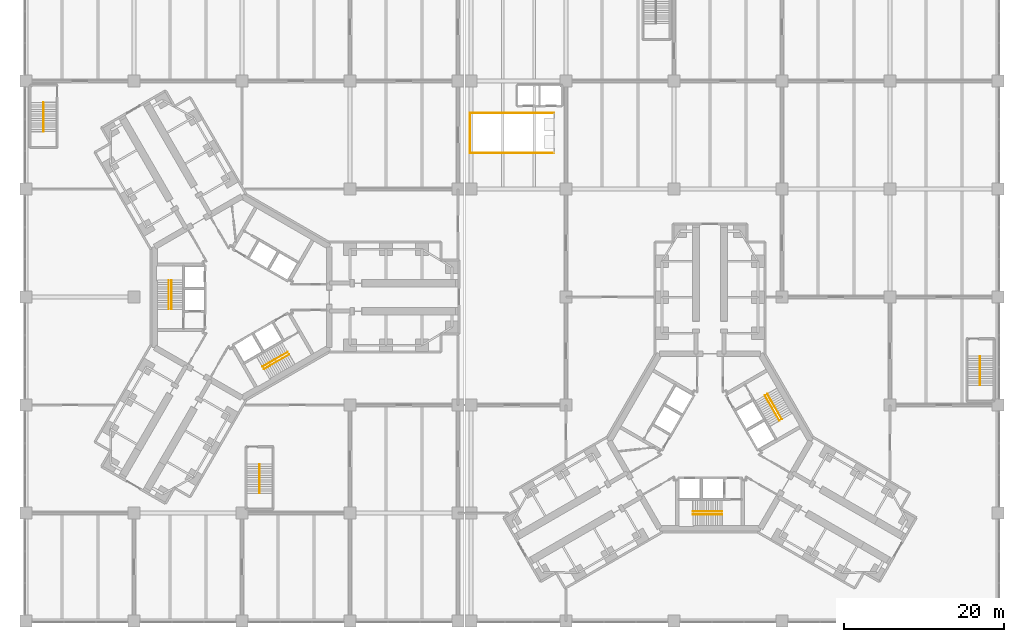
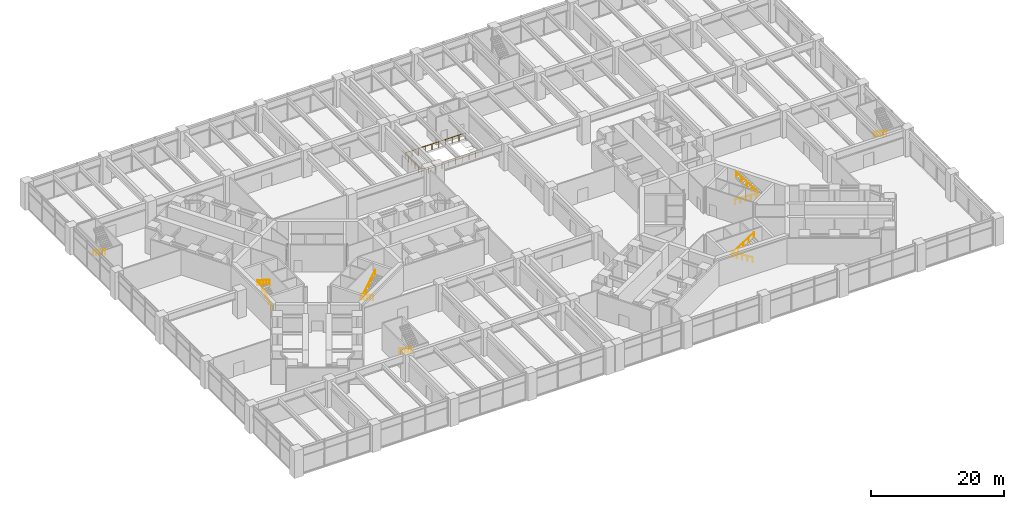
# One storey, part 30 of 31: 12 railings.
"""IFC4 building model written with IfcOpenShell, lengths in metres."""

from ifc_helpers import new_model, si_unit, direction, frame, origin, origin_2d, place, context, subcontext, project, spatial, circle, extrude, material, type_object, element, save


model = new_model("IFC4")

# Units and contexts
model_context = context("Model", 3, precision=1e-05, world=origin(), true_north=direction((0.0, 1.0)))
body_context = subcontext(model_context, "Body", "Model", "MODEL_VIEW")
ifc_project = project(units=[si_unit("LENGTHUNIT", "METRE"), si_unit("AREAUNIT", "SQUARE_METRE"), si_unit("VOLUMEUNIT", "CUBIC_METRE"), si_unit("PLANEANGLEUNIT", "RADIAN"), si_unit("MASSUNIT", "GRAM", prefix="KILO")], contexts=[model_context])

# Site, building, storey
site_placement = place(None, origin())
site = spatial("IfcSite", under=ifc_project, at=site_placement, CompositionType="ELEMENT")
building_placement = place(site_placement, origin())
building = spatial("IfcBuilding", under=site, at=building_placement, Name="Upepo Twin Towers", CompositionType="ELEMENT")
storey_placement = place(building_placement, frame((0.0, 0.0, 15.5)))
storey = spatial("IfcBuildingStorey", under=building, at=storey_placement, Name="L03", CompositionType="ELEMENT", Elevation=15.5)

# Railings
ifc_material_1 = material(Name="Stainless steel and glass", Category="steel")
railing_type_1 = type_object("IfcRailingType", Name="Guard 1100", PredefinedType="GUARDRAIL", material=ifc_material_1)
railing_1_placement = place(storey_placement, frame((39.0, 18.0, 0.0)))
element("IfcRailing", 1, at=railing_1_placement, inside=storey, type_object=railing_type_1, Name="Escalator well guard L03", PredefinedType="GUARDRAIL", context=body_context, shape_type="SweptSolid", body=[
    extrude(circle(Radius=0.02392578125, at=origin_2d()), frame((0.0, 0.0, 1.076171875), z_axis=(-1.0, 0.0, 0.0), x_axis=(0.0, -1.0, 0.0)), (0.0, 0.0, 1.0), 10.5),
    extrude(circle(Radius=0.02392578125, at=origin_2d()), frame((-10.5, 0.0, 1.076171875), z_axis=(0.0, 1.0, 0.0), x_axis=(-1.0, 0.0, 0.0)), (0.0, 0.0, 1.0), 5.0),
    extrude(circle(Radius=0.02392578125, at=origin_2d()), frame((-10.5, 5.0, 1.076171875), z_axis=(1.0, 0.0, 0.0), x_axis=(0.0, 1.0, 0.0)), (0.0, 0.0, 1.0), 10.5),
    extrude(circle(Radius=0.02099609375, at=origin_2d()), origin(), (0.0, 0.0, 1.0), 1.052001953125),
    extrude(circle(Radius=0.02099609375, at=origin_2d()), frame((-1.166748046875, 0.0, 0.0)), (0.0, 0.0, 1.0), 1.052001953125),
    extrude(circle(Radius=0.02099609375, at=origin_2d()), frame((-2.333251953125, 0.0, 0.0)), (0.0, 0.0, 1.0), 1.052001953125),
    extrude(circle(Radius=0.02099609375, at=origin_2d()), frame((-3.5, 0.0, 0.0)), (0.0, 0.0, 1.0), 1.052001953125),
    extrude(circle(Radius=0.02099609375, at=origin_2d()), frame((-4.666748046875, 0.0, 0.0)), (0.0, 0.0, 1.0), 1.052001953125),
    extrude(circle(Radius=0.02099609375, at=origin_2d()), frame((-5.833251953125, 0.0, 0.0)), (0.0, 0.0, 1.0), 1.052001953125),
    extrude(circle(Radius=0.02099609375, at=origin_2d()), frame((-7.0, 0.0, 0.0)), (0.0, 0.0, 1.0), 1.052001953125),
    extrude(circle(Radius=0.02099609375, at=origin_2d()), frame((-8.166748046875, 0.0, 0.0)), (0.0, 0.0, 1.0), 1.052001953125),
    extrude(circle(Radius=0.02099609375, at=origin_2d()), frame((-9.333251953125, 0.0, 0.0)), (0.0, 0.0, 1.0), 1.052001953125),
    extrude(circle(Radius=0.02099609375, at=origin_2d()), frame((-10.5, 0.0, 0.0)), (0.0, 0.0, 1.0), 1.052001953125),
    extrude(circle(Radius=0.02099609375, at=origin_2d()), frame((-10.5, 1.0, 0.0)), (0.0, 0.0, 1.0), 1.052001953125),
    extrude(circle(Radius=0.02099609375, at=origin_2d()), frame((-10.5, 2.0, 0.0)), (0.0, 0.0, 1.0), 1.052001953125),
    extrude(circle(Radius=0.02099609375, at=origin_2d()), frame((-10.5, 3.0, 0.0)), (0.0, 0.0, 1.0), 1.052001953125),
    extrude(circle(Radius=0.02099609375, at=origin_2d()), frame((-10.5, 4.0, 0.0)), (0.0, 0.0, 1.0), 1.052001953125),
    extrude(circle(Radius=0.02099609375, at=origin_2d()), frame((-10.5, 5.0, 0.0)), (0.0, 0.0, 1.0), 1.052001953125),
    extrude(circle(Radius=0.02099609375, at=origin_2d()), frame((-9.333251953125, 5.0, 0.0)), (0.0, 0.0, 1.0), 1.052001953125),
    extrude(circle(Radius=0.02099609375, at=origin_2d()), frame((-8.166748046875, 5.0, 0.0)), (0.0, 0.0, 1.0), 1.052001953125),
    extrude(circle(Radius=0.02099609375, at=origin_2d()), frame((-7.0, 5.0, 0.0)), (0.0, 0.0, 1.0), 1.052001953125),
    extrude(circle(Radius=0.02099609375, at=origin_2d()), frame((-5.833251953125, 5.0, 0.0)), (0.0, 0.0, 1.0), 1.052001953125),
    extrude(circle(Radius=0.02099609375, at=origin_2d()), frame((-4.666748046875, 5.0, 0.0)), (0.0, 0.0, 1.0), 1.052001953125),
    extrude(circle(Radius=0.02099609375, at=origin_2d()), frame((-3.5, 5.0, 0.0)), (0.0, 0.0, 1.0), 1.052001953125),
    extrude(circle(Radius=0.02099609375, at=origin_2d()), frame((-2.333251953125, 5.0, 0.0)), (0.0, 0.0, 1.0), 1.052001953125),
    extrude(circle(Radius=0.02099609375, at=origin_2d()), frame((-1.166748046875, 5.0, 0.0)), (0.0, 0.0, 1.0), 1.052001953125),
    extrude(circle(Radius=0.02099609375, at=origin_2d()), frame((0.0, 5.0, 0.0)), (0.0, 0.0, 1.0), 1.052001953125),
])
ifc_material_2 = material(Name="Stainless steel", Category="steel")
railing_type_2 = type_object("IfcRailingType", Name="Stair handrail 900", PredefinedType="HANDRAIL", material=ifc_material_2)
railing_2_placement = place(storey_placement, frame((-8.800048828125, -1.52001953125, 0.178466796875)))
element("IfcRailing", 2, at=railing_2_placement, inside=storey, type_object=railing_type_2, Name="T1 stair S1 L03 handrail 1", PredefinedType="HANDRAIL", context=body_context, shape_type="SweptSolid", body=[
    extrude(circle(Radius=0.02392578125, at=origin_2d()), frame((0.0, 0.0, 0.8759765625), z_axis=(0.0, 0.843127859045, 0.537713132908), x_axis=(-1.0, 0.0, 0.0)), (0.0, 0.0, 1.0), 4.3173828125),
    extrude(circle(Radius=0.02099609375, at=origin_2d()), origin(), (0.0, 0.0, 1.0), 0.851806640625),
    extrude(circle(Radius=0.02099609375, at=origin_2d()), frame((0.0, 0.91015625, 0.580322265625)), (0.0, 0.0, 1.0), 0.851806640625),
    extrude(circle(Radius=0.02099609375, at=origin_2d()), frame((0.0, 1.820068359375, 1.16064453125)), (0.0, 0.0, 1.0), 0.851806640625),
    extrude(circle(Radius=0.02099609375, at=origin_2d()), frame((0.0, 2.72998046875, 1.7412109375)), (0.0, 0.0, 1.0), 0.851806640625),
    extrude(circle(Radius=0.02099609375, at=origin_2d()), frame((0.0, 3.64013671875, 2.321533203125)), (0.0, 0.0, 1.0), 0.851806640625),
])
railing_3_placement = place(storey_placement, frame((-9.158447265625, 2.1201171875, 2.678466796875)))
element("IfcRailing", 3, at=railing_3_placement, inside=storey, type_object=railing_type_2, Name="T1 stair S1 L03 handrail 2", PredefinedType="HANDRAIL", context=body_context, shape_type="SweptSolid", body=[
    extrude(circle(Radius=0.02392578125, at=origin_2d()), frame((0.0, 0.0, 0.8759765625), z_axis=(0.0, -0.843127859045, 0.537713132908), x_axis=(1.0, 0.0, 0.0)), (0.0, 0.0, 1.0), 4.3173828125),
    extrude(circle(Radius=0.02099609375, at=origin_2d()), origin(), (0.0, 0.0, 1.0), 0.851806640625),
    extrude(circle(Radius=0.02099609375, at=origin_2d()), frame((0.0, -0.91015625, 0.580322265625)), (0.0, 0.0, 1.0), 0.851806640625),
    extrude(circle(Radius=0.02099609375, at=origin_2d()), frame((0.0, -1.820068359375, 1.16064453125)), (0.0, 0.0, 1.0), 0.851806640625),
    extrude(circle(Radius=0.02099609375, at=origin_2d()), frame((0.0, -2.72998046875, 1.7412109375)), (0.0, 0.0, 1.0), 0.851806640625),
    extrude(circle(Radius=0.02099609375, at=origin_2d()), frame((0.0, -3.64013671875, 2.321533203125)), (0.0, 0.0, 1.0), 0.851806640625),
])
railing_4_placement = place(storey_placement, frame((5.71630859375, -6.861083984375, 0.178466796875)))
element("IfcRailing", 4, at=railing_4_placement, inside=storey, type_object=railing_type_2, Name="T1 stair S2 L03 handrail 1", PredefinedType="HANDRAIL", context=body_context, shape_type="SweptSolid", body=[
    extrude(circle(Radius=0.02392578125, at=origin_2d()), frame((0.0, 0.0, 0.8759765625), z_axis=(-0.730175966949, -0.421525066422, 0.537735693132), x_axis=(0.499962438169, -0.866047089031, 0.0)), (0.0, 0.0, 1.0), 4.317138671875),
    extrude(circle(Radius=0.02099609375, at=origin_2d()), origin(), (0.0, 0.0, 1.0), 0.851806640625),
    extrude(circle(Radius=0.02099609375, at=origin_2d()), frame((-0.7880859375, -0.455078125, 0.580322265625)), (0.0, 0.0, 1.0), 0.851806640625),
    extrude(circle(Radius=0.02099609375, at=origin_2d()), frame((-1.576171875, -0.909912109375, 1.16064453125)), (0.0, 0.0, 1.0), 0.851806640625),
    extrude(circle(Radius=0.02099609375, at=origin_2d()), frame((-2.3642578125, -1.36474609375, 1.7412109375)), (0.0, 0.0, 1.0), 0.851806640625),
    extrude(circle(Radius=0.02099609375, at=origin_2d()), frame((-3.15234375, -1.81982421875, 2.321533203125)), (0.0, 0.0, 1.0), 0.851806640625),
])
railing_5_placement = place(storey_placement, frame((2.7431640625, -8.991455078125, 2.678466796875)))
element("IfcRailing", 5, at=railing_5_placement, inside=storey, type_object=railing_type_2, Name="T1 stair S2 L03 handrail 2", PredefinedType="HANDRAIL", context=body_context, shape_type="SweptSolid", body=[
    extrude(circle(Radius=0.02392578125, at=origin_2d()), frame((0.0, 0.0, 0.8759765625), z_axis=(0.730158560966, 0.421571566915, 0.537722874553), x_axis=(-0.500012742938, 0.866018046521, 0.0)), (0.0, 0.0, 1.0), 4.3173828125),
    extrude(circle(Radius=0.02099609375, at=origin_2d()), origin(), (0.0, 0.0, 1.0), 0.851806640625),
    extrude(circle(Radius=0.02099609375, at=origin_2d()), frame((0.7880859375, 0.455078125, 0.580322265625)), (0.0, 0.0, 1.0), 0.851806640625),
    extrude(circle(Radius=0.02099609375, at=origin_2d()), frame((1.576171875, 0.91015625, 1.16064453125)), (0.0, 0.0, 1.0), 0.851806640625),
    extrude(circle(Radius=0.02099609375, at=origin_2d()), frame((2.3642578125, 1.364990234375, 1.7412109375)), (0.0, 0.0, 1.0), 0.851806640625),
    extrude(circle(Radius=0.02099609375, at=origin_2d()), frame((3.15234375, 1.820068359375, 2.321533203125)), (0.0, 0.0, 1.0), 0.851806640625),
])
railing_6_placement = place(storey_placement, frame((60.02001953125, -26.800048828125, 0.178466796875)))
element("IfcRailing", 6, at=railing_6_placement, inside=storey, type_object=railing_type_2, Name="T2 stair S1 L03 handrail 1", PredefinedType="HANDRAIL", context=body_context, shape_type="SweptSolid", body=[
    extrude(circle(Radius=0.02392578125, at=origin_2d()), frame((0.0, 0.0, 0.8759765625), z_axis=(-0.843127859045, 0.0, 0.537713132908), x_axis=(0.0, -1.0, 0.0)), (0.0, 0.0, 1.0), 4.3173828125),
    extrude(circle(Radius=0.02099609375, at=origin_2d()), origin(), (0.0, 0.0, 1.0), 0.851806640625),
    extrude(circle(Radius=0.02099609375, at=origin_2d()), frame((-0.91015625, 0.0, 0.580322265625)), (0.0, 0.0, 1.0), 0.851806640625),
    extrude(circle(Radius=0.02099609375, at=origin_2d()), frame((-1.820068359375, 0.0, 1.16064453125)), (0.0, 0.0, 1.0), 0.851806640625),
    extrude(circle(Radius=0.02099609375, at=origin_2d()), frame((-2.72998046875, 0.0, 1.7412109375)), (0.0, 0.0, 1.0), 0.851806640625),
    extrude(circle(Radius=0.02099609375, at=origin_2d()), frame((-3.64013671875, 0.0, 2.321533203125)), (0.0, 0.0, 1.0), 0.851806640625),
])
railing_7_placement = place(storey_placement, frame((56.3798828125, -27.158447265625, 2.678466796875)))
element("IfcRailing", 7, at=railing_7_placement, inside=storey, type_object=railing_type_2, Name="T2 stair S1 L03 handrail 2", PredefinedType="HANDRAIL", context=body_context, shape_type="SweptSolid", body=[
    extrude(circle(Radius=0.02392578125, at=origin_2d()), frame((0.0, 0.0, 0.8759765625), z_axis=(0.843127859045, 0.0, 0.537713132908), x_axis=(0.0, 1.0, 0.0)), (0.0, 0.0, 1.0), 4.3173828125),
    extrude(circle(Radius=0.02099609375, at=origin_2d()), origin(), (0.0, 0.0, 1.0), 0.851806640625),
    extrude(circle(Radius=0.02099609375, at=origin_2d()), frame((0.91015625, 0.0, 0.580322265625)), (0.0, 0.0, 1.0), 0.851806640625),
    extrude(circle(Radius=0.02099609375, at=origin_2d()), frame((1.820068359375, 0.0, 1.16064453125)), (0.0, 0.0, 1.0), 0.851806640625),
    extrude(circle(Radius=0.02099609375, at=origin_2d()), frame((2.72998046875, 0.0, 1.7412109375)), (0.0, 0.0, 1.0), 0.851806640625),
    extrude(circle(Radius=0.02099609375, at=origin_2d()), frame((3.64013671875, 0.0, 2.321533203125)), (0.0, 0.0, 1.0), 0.851806640625),
])
railing_8_placement = place(storey_placement, frame((65.361083984375, -12.28369140625, 0.178466796875)))
element("IfcRailing", 8, at=railing_8_placement, inside=storey, type_object=railing_type_2, Name="T2 stair S2 L03 handrail 1", PredefinedType="HANDRAIL", context=body_context, shape_type="SweptSolid", body=[
    extrude(circle(Radius=0.02392578125, at=origin_2d()), frame((0.0, 0.0, 0.8759765625), z_axis=(0.421525066422, -0.730175966949, 0.537735693132), x_axis=(0.866047089031, 0.499962438169, 0.0)), (0.0, 0.0, 1.0), 4.317138671875),
    extrude(circle(Radius=0.02099609375, at=origin_2d()), origin(), (0.0, 0.0, 1.0), 0.851806640625),
    extrude(circle(Radius=0.02099609375, at=origin_2d()), frame((0.455078125, -0.7880859375, 0.580322265625)), (0.0, 0.0, 1.0), 0.851806640625),
    extrude(circle(Radius=0.02099609375, at=origin_2d()), frame((0.909912109375, -1.576171875, 1.16064453125)), (0.0, 0.0, 1.0), 0.851806640625),
    extrude(circle(Radius=0.02099609375, at=origin_2d()), frame((1.36474609375, -2.3642578125, 1.7412109375)), (0.0, 0.0, 1.0), 0.851806640625),
    extrude(circle(Radius=0.02099609375, at=origin_2d()), frame((1.81982421875, -3.15234375, 2.321533203125)), (0.0, 0.0, 1.0), 0.851806640625),
])
railing_9_placement = place(storey_placement, frame((67.491455078125, -15.2568359375, 2.678466796875)))
element("IfcRailing", 9, at=railing_9_placement, inside=storey, type_object=railing_type_2, Name="T2 stair S2 L03 handrail 2", PredefinedType="HANDRAIL", context=body_context, shape_type="SweptSolid", body=[
    extrude(circle(Radius=0.02392578125, at=origin_2d()), frame((0.0, 0.0, 0.8759765625), z_axis=(-0.421571566915, 0.730158560966, 0.537722874553), x_axis=(-0.866018046521, -0.500012742938, 0.0)), (0.0, 0.0, 1.0), 4.3173828125),
    extrude(circle(Radius=0.02099609375, at=origin_2d()), origin(), (0.0, 0.0, 1.0), 0.851806640625),
    extrude(circle(Radius=0.02099609375, at=origin_2d()), frame((-0.455078125, 0.7880859375, 0.580322265625)), (0.0, 0.0, 1.0), 0.851806640625),
    extrude(circle(Radius=0.02099609375, at=origin_2d()), frame((-0.91015625, 1.576171875, 1.16064453125)), (0.0, 0.0, 1.0), 0.851806640625),
    extrude(circle(Radius=0.02099609375, at=origin_2d()), frame((-1.364990234375, 2.3642578125, 1.7412109375)), (0.0, 0.0, 1.0), 0.851806640625),
    extrude(circle(Radius=0.02099609375, at=origin_2d()), frame((-1.820068359375, 3.15234375, 2.321533203125)), (0.0, 0.0, 1.0), 0.851806640625),
])
for number, where, name in (
    (10, (-24.830078125, 24.320068359375, 0.178466796875), "Podium stair PS1 L03 handrail"),
    (11, (92.27001953125, -7.3798828125, 0.178466796875), "Podium stair PS2 L03 handrail"),
    (12, (2.169921875, -20.8798828125, 0.178466796875), "Podium stair PS3 L03 handrail"),
):
    element("IfcRailing", number, at=place(storey_placement, frame(where)), inside=storey, type_object=railing_type_2, Name=name, PredefinedType="HANDRAIL", context=body_context, shape_type="SweptSolid", body=[
        extrude(circle(Radius=0.02392578125, at=origin_2d()), frame((0.0, 0.0, 0.8759765625), z_axis=(0.0, -0.843127859045, 0.537713132908), x_axis=(1.0, 0.0, 0.0)), (0.0, 0.0, 1.0), 4.3173828125),
        extrude(circle(Radius=0.02099609375, at=origin_2d()), origin(), (0.0, 0.0, 1.0), 0.851806640625),
        extrude(circle(Radius=0.02099609375, at=origin_2d()), frame((0.0, -0.91015625, 0.580322265625)), (0.0, 0.0, 1.0), 0.851806640625),
        extrude(circle(Radius=0.02099609375, at=origin_2d()), frame((0.0, -1.820068359375, 1.16064453125)), (0.0, 0.0, 1.0), 0.851806640625),
        extrude(circle(Radius=0.02099609375, at=origin_2d()), frame((0.0, -2.72998046875, 1.7412109375)), (0.0, 0.0, 1.0), 0.851806640625),
        extrude(circle(Radius=0.02099609375, at=origin_2d()), frame((0.0, -3.64013671875, 2.321533203125)), (0.0, 0.0, 1.0), 0.851806640625),
    ])

save(model, "model.ifc")
